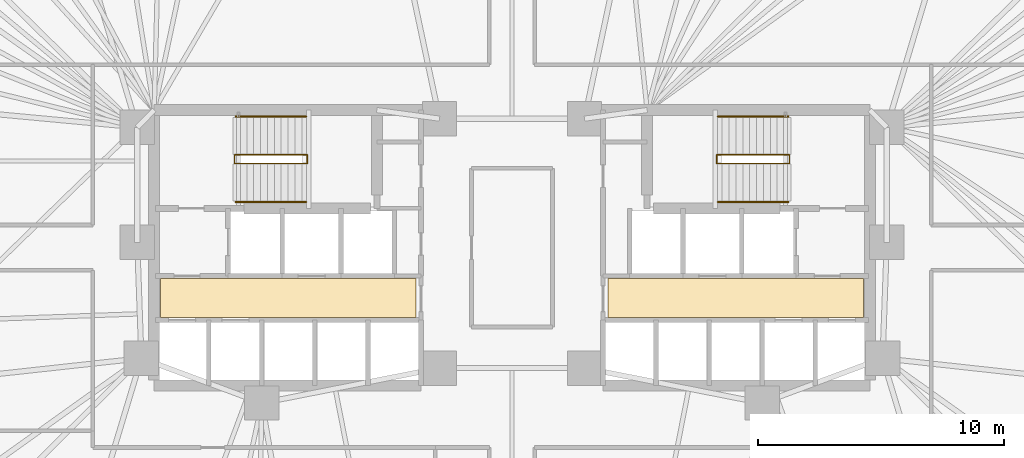
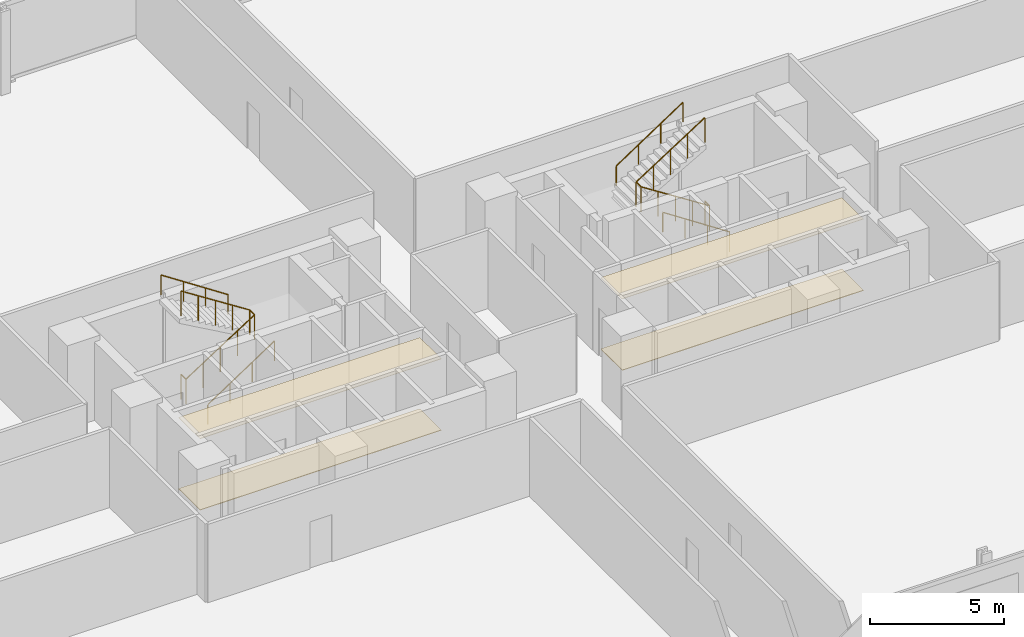
# One storey, part 16 of 16: 6 railings, 4 coverings.
"""IFC4 building model written with IfcOpenShell, lengths in metres."""

from ifc_helpers import new_model, si_unit, direction, frame, origin, origin_2d, place, context, subcontext, project, spatial, polyline, circle, outline, extrude, material, layer, layer_set, type_object, element, save


model = new_model("IFC4")

# Units and contexts
model_context = context("Model", 3, precision=1e-05, world=origin(), true_north=direction((0.0, 1.0)))
body_context = subcontext(model_context, "Body", "Model", "MODEL_VIEW")
ifc_project = project(units=[si_unit("LENGTHUNIT", "METRE"), si_unit("AREAUNIT", "SQUARE_METRE"), si_unit("VOLUMEUNIT", "CUBIC_METRE"), si_unit("PLANEANGLEUNIT", "RADIAN"), si_unit("MASSUNIT", "GRAM", prefix="KILO")], contexts=[model_context])

# Site, building, storey
site_placement = place(None, origin())
site = spatial("IfcSite", under=ifc_project, at=site_placement, CompositionType="ELEMENT")
building_placement = place(site_placement, origin())
building = spatial("IfcBuilding", under=site, at=building_placement, Name="Menara Jurai Vektor", CompositionType="ELEMENT")
storey_placement = place(building_placement, frame((0.0, 0.0, 14.199951171875)))
storey = spatial("IfcBuildingStorey", under=building, at=storey_placement, Name="L02", CompositionType="ELEMENT", Elevation=14.199951171875)

# Coverings
ifc_material_1 = material(Name="Mineral Fibre Acoustic Ceiling Tile", Category="gypsum")
ifc_layer_1 = layer(ifc_material_1, 0.02001953125)
ifc_layer_set_1 = layer_set([ifc_layer_1], Name="Mineral Fibre Acoustic Ceiling Tile")
covering_type_1 = type_object("IfcCoveringType", Name="COV-CEILING-ACOUSTIC", PredefinedType="CEILING", material=ifc_layer_set_1)
covering_1_placement = place(storey_placement, frame((0.0, 0.0, 3.255126953125)))
element("IfcCovering", 1, at=covering_1_placement, inside=storey, type_object=covering_type_1, Name="Acoustic Lift Lobby Ceiling W L02", PredefinedType="CEILING", context=body_context, shape_type="SweptSolid", body=[
    extrude(outline(polyline([(-14.300048828125, -2.85009765625), (-3.89990234375, -2.85009765625), (-3.89990234375, -1.25), (-14.300048828125, -1.25), (-14.300048828125, -2.85009765625)])), origin(), (0.0, 0.0, 1.0), 0.02001953125),
])
covering_2_placement = place(storey_placement, frame((0.0, 0.0, 3.255126953125)))
element("IfcCovering", 2, at=covering_2_placement, inside=storey, type_object=covering_type_1, Name="Acoustic Lift Lobby Ceiling E L02", PredefinedType="CEILING", context=body_context, shape_type="SweptSolid", body=[
    extrude(outline(polyline([(3.89990234375, -2.85009765625), (14.300048828125, -2.85009765625), (14.300048828125, -1.25), (3.89990234375, -1.25), (3.89990234375, -2.85009765625)])), origin(), (0.0, 0.0, 1.0), 0.02001953125),
])
ifc_material_2 = material(Name="Honed Granite Lobby Flooring", Category="masonry")
ifc_layer_2 = layer(ifc_material_2, 0.02490234375)
ifc_layer_set_2 = layer_set([ifc_layer_2], Name="Honed Granite Lobby Flooring")
covering_type_2 = type_object("IfcCoveringType", Name="COV-FLOOR-STONE", PredefinedType="FLOORING", material=ifc_layer_set_2)
covering_3_placement = place(storey_placement, origin())
element("IfcCovering", 3, at=covering_3_placement, inside=storey, type_object=covering_type_2, Name="Granite Lift Lobby Flooring W L02", PredefinedType="FLOORING", context=body_context, shape_type="SweptSolid", body=[
    extrude(outline(polyline([(-14.300048828125, -2.85009765625), (-3.89990234375, -2.85009765625), (-3.89990234375, -1.25), (-14.300048828125, -1.25), (-14.300048828125, -2.85009765625)])), origin(), (0.0, 0.0, 1.0), 0.025146484375),
])
covering_4_placement = place(storey_placement, origin())
element("IfcCovering", 4, at=covering_4_placement, inside=storey, type_object=covering_type_2, Name="Granite Lift Lobby Flooring E L02", PredefinedType="FLOORING", context=body_context, shape_type="SweptSolid", body=[
    extrude(outline(polyline([(3.89990234375, -2.85009765625), (14.300048828125, -2.85009765625), (14.300048828125, -1.25), (3.89990234375, -1.25), (3.89990234375, -2.85009765625)])), origin(), (0.0, 0.0, 1.0), 0.025146484375),
])

# Railings
ifc_material_3 = material(Name="Painted Galvanised Steel Balustrade", Category="steel")
railing_type_1 = type_object("IfcRailingType", Name="RAIL-STAIR-GUARD", PredefinedType="GUARDRAIL", material=ifc_material_3)
railing_1_placement = place(storey_placement, frame((-11.2900390625, 3.780029296875, 0.0)))
element("IfcRailing", 5, at=railing_1_placement, inside=storey, type_object=railing_type_1, Name="ST1 Stair Guardrail 1 L02", PredefinedType="GUARDRAIL", context=body_context, shape_type="SweptSolid", body=[
    extrude(circle(Radius=0.02392578125, at=origin_2d()), frame((0.0, 0.0, 1.1259765625), z_axis=(0.0, -1.0, 0.0), x_axis=(1.0, 0.0, 0.0)), (0.0, 0.0, 1.0), 0.360107421875),
    extrude(circle(Radius=0.02392578125, at=origin_2d()), frame((0.0, -0.360107421875, 1.1259765625), z_axis=(0.841525601958, 0.0, 0.540217235239), x_axis=(0.0, 1.0, 0.0)), (0.0, 0.0, 1.0), 3.517333984375),
    extrude(circle(Radius=0.02392578125, at=origin_2d()), frame((2.9599609375, -0.360107421875, 3.02587890625), z_axis=(0.0, 1.0, 0.0), x_axis=(-1.0, 0.0, 0.0)), (0.0, 0.0, 1.0), 0.360107421875),
    extrude(circle(Radius=0.02392578125, at=origin_2d()), frame((2.9599609375, 0.0, 3.02587890625), z_axis=(-0.841557155905, 0.0, 0.540168078791), x_axis=(0.0, -1.0, 0.0)), (0.0, 0.0, 1.0), 3.517333984375),
    extrude(circle(Radius=0.02099609375, at=origin_2d()), origin(), (0.0, 0.0, 1.0), 1.101806640625),
    extrude(circle(Radius=0.02099609375, at=origin_2d()), frame((0.0, -0.360107421875, 0.0)), (0.0, 0.0, 1.0), 1.101806640625),
    extrude(circle(Radius=0.02099609375, at=origin_2d()), frame((0.739990234375, -0.360107421875, 0.47509765625)), (0.0, 0.0, 1.0), 1.101806640625),
    extrude(circle(Radius=0.02099609375, at=origin_2d()), frame((1.47998046875, -0.360107421875, 0.9501953125)), (0.0, 0.0, 1.0), 1.101806640625),
    extrude(circle(Radius=0.02099609375, at=origin_2d()), frame((2.219970703125, -0.360107421875, 1.425048828125)), (0.0, 0.0, 1.0), 1.101806640625),
    extrude(circle(Radius=0.02099609375, at=origin_2d()), frame((2.9599609375, -0.360107421875, 1.900146484375)), (0.0, 0.0, 1.0), 1.101806640625),
    extrude(circle(Radius=0.02099609375, at=origin_2d()), frame((2.9599609375, 0.0, 1.900146484375)), (0.0, 0.0, 1.0), 1.101806640625),
    extrude(circle(Radius=0.02099609375, at=origin_2d()), frame((2.219970703125, 0.0, 2.375)), (0.0, 0.0, 1.0), 1.101806640625),
    extrude(circle(Radius=0.02099609375, at=origin_2d()), frame((1.47998046875, 0.0, 2.85009765625)), (0.0, 0.0, 1.0), 1.101806640625),
    extrude(circle(Radius=0.02099609375, at=origin_2d()), frame((0.739990234375, 0.0, 3.3251953125)), (0.0, 0.0, 1.0), 1.101806640625),
    extrude(circle(Radius=0.02099609375, at=origin_2d()), frame((0.0, 0.0, 3.800048828125)), (0.0, 0.0, 1.0), 1.101806640625),
])
railing_2_placement = place(storey_placement, frame((11.2900390625, 3.780029296875, 0.0)))
element("IfcRailing", 6, at=railing_2_placement, inside=storey, type_object=railing_type_1, Name="ST2 Stair Guardrail 1 L02", PredefinedType="GUARDRAIL", context=body_context, shape_type="SweptSolid", body=[
    extrude(circle(Radius=0.02392578125, at=origin_2d()), frame((0.0, 0.0, 1.1259765625), z_axis=(0.0, -1.0, 0.0), x_axis=(1.0, 0.0, 0.0)), (0.0, 0.0, 1.0), 0.360107421875),
    extrude(circle(Radius=0.02392578125, at=origin_2d()), frame((0.0, -0.360107421875, 1.1259765625), z_axis=(-0.841525601958, 0.0, 0.540217235239), x_axis=(0.0, -1.0, 0.0)), (0.0, 0.0, 1.0), 3.517333984375),
    extrude(circle(Radius=0.02392578125, at=origin_2d()), frame((-2.9599609375, -0.360107421875, 3.02587890625), z_axis=(0.0, 1.0, 0.0), x_axis=(-1.0, 0.0, 0.0)), (0.0, 0.0, 1.0), 0.360107421875),
    extrude(circle(Radius=0.02392578125, at=origin_2d()), frame((-2.9599609375, 0.0, 3.02587890625), z_axis=(0.841557155905, 0.0, 0.540168078791), x_axis=(0.0, 1.0, 0.0)), (0.0, 0.0, 1.0), 3.517333984375),
    extrude(circle(Radius=0.02099609375, at=origin_2d()), origin(), (0.0, 0.0, 1.0), 1.101806640625),
    extrude(circle(Radius=0.02099609375, at=origin_2d()), frame((0.0, -0.360107421875, 0.0)), (0.0, 0.0, 1.0), 1.101806640625),
    extrude(circle(Radius=0.02099609375, at=origin_2d()), frame((-0.739990234375, -0.360107421875, 0.47509765625)), (0.0, 0.0, 1.0), 1.101806640625),
    extrude(circle(Radius=0.02099609375, at=origin_2d()), frame((-1.47998046875, -0.360107421875, 0.9501953125)), (0.0, 0.0, 1.0), 1.101806640625),
    extrude(circle(Radius=0.02099609375, at=origin_2d()), frame((-2.219970703125, -0.360107421875, 1.425048828125)), (0.0, 0.0, 1.0), 1.101806640625),
    extrude(circle(Radius=0.02099609375, at=origin_2d()), frame((-2.9599609375, -0.360107421875, 1.900146484375)), (0.0, 0.0, 1.0), 1.101806640625),
    extrude(circle(Radius=0.02099609375, at=origin_2d()), frame((-2.9599609375, 0.0, 1.900146484375)), (0.0, 0.0, 1.0), 1.101806640625),
    extrude(circle(Radius=0.02099609375, at=origin_2d()), frame((-2.219970703125, 0.0, 2.375)), (0.0, 0.0, 1.0), 1.101806640625),
    extrude(circle(Radius=0.02099609375, at=origin_2d()), frame((-1.47998046875, 0.0, 2.85009765625)), (0.0, 0.0, 1.0), 1.101806640625),
    extrude(circle(Radius=0.02099609375, at=origin_2d()), frame((-0.739990234375, 0.0, 3.3251953125)), (0.0, 0.0, 1.0), 1.101806640625),
    extrude(circle(Radius=0.02099609375, at=origin_2d()), frame((0.0, 0.0, 3.800048828125)), (0.0, 0.0, 1.0), 1.101806640625),
])
ifc_material_4 = material(Name="Brushed Stainless Steel Handrail", Category="steel")
railing_type_2 = type_object("IfcRailingType", Name="RAIL-STAIR-HAND", PredefinedType="HANDRAIL", material=ifc_material_4)
railing_3_placement = place(storey_placement, frame((-11.25, 1.860107421875, 0.0)))
element("IfcRailing", 7, at=railing_3_placement, inside=storey, type_object=railing_type_2, Name="ST1 Stair Handrail 1 L02", PredefinedType="HANDRAIL", context=body_context, shape_type="SweptSolid", body=[
    extrude(circle(Radius=0.02392578125, at=origin_2d()), frame((0.0, 0.0, 0.89599609375), z_axis=(0.834686171885, 0.0, 0.550725879602), x_axis=(0.0, 1.0, 0.0)), (0.0, 0.0, 1.0), 3.4501953125),
    extrude(circle(Radius=0.02099609375, at=origin_2d()), origin(), (0.0, 0.0, 1.0), 0.871826171875),
    extrude(circle(Radius=0.02099609375, at=origin_2d()), frame((0.9599609375, 0.0, 0.63330078125)), (0.0, 0.0, 1.0), 0.871826171875),
    extrude(circle(Radius=0.02099609375, at=origin_2d()), frame((1.919921875, 0.0, 1.266845703125)), (0.0, 0.0, 1.0), 0.871826171875),
    extrude(circle(Radius=0.02099609375, at=origin_2d()), frame((2.8798828125, 0.0, 1.900146484375)), (0.0, 0.0, 1.0), 0.871826171875),
])
railing_4_placement = place(storey_placement, frame((-8.3701171875, 5.340087890625, 1.900146484375)))
element("IfcRailing", 8, at=railing_4_placement, inside=storey, type_object=railing_type_2, Name="ST1 Stair Handrail 2 L02", PredefinedType="HANDRAIL", context=body_context, shape_type="SweptSolid", body=[
    extrude(circle(Radius=0.02392578125, at=origin_2d()), frame((0.0, 0.0, 0.89599609375), z_axis=(-0.834718698933, 0.0, 0.550676578085), x_axis=(0.0, -1.0, 0.0)), (0.0, 0.0, 1.0), 3.4501953125),
    extrude(circle(Radius=0.02099609375, at=origin_2d()), origin(), (0.0, 0.0, 1.0), 0.871826171875),
    extrude(circle(Radius=0.02099609375, at=origin_2d()), frame((-0.9599609375, 0.0, 0.63330078125)), (0.0, 0.0, 1.0), 0.871826171875),
    extrude(circle(Radius=0.02099609375, at=origin_2d()), frame((-1.919921875, 0.0, 1.2666015625)), (0.0, 0.0, 1.0), 0.871826171875),
    extrude(circle(Radius=0.02099609375, at=origin_2d()), frame((-2.8798828125, 0.0, 1.89990234375)), (0.0, 0.0, 1.0), 0.871826171875),
])
railing_5_placement = place(storey_placement, frame((11.25, 1.860107421875, 0.0)))
element("IfcRailing", 9, at=railing_5_placement, inside=storey, type_object=railing_type_2, Name="ST2 Stair Handrail 1 L02", PredefinedType="HANDRAIL", context=body_context, shape_type="SweptSolid", body=[
    extrude(circle(Radius=0.02392578125, at=origin_2d()), frame((0.0, 0.0, 0.89599609375), z_axis=(-0.834686171885, 0.0, 0.550725879602), x_axis=(0.0, -1.0, 0.0)), (0.0, 0.0, 1.0), 3.4501953125),
    extrude(circle(Radius=0.02099609375, at=origin_2d()), origin(), (0.0, 0.0, 1.0), 0.871826171875),
    extrude(circle(Radius=0.02099609375, at=origin_2d()), frame((-0.9599609375, 0.0, 0.63330078125)), (0.0, 0.0, 1.0), 0.871826171875),
    extrude(circle(Radius=0.02099609375, at=origin_2d()), frame((-1.919921875, 0.0, 1.266845703125)), (0.0, 0.0, 1.0), 0.871826171875),
    extrude(circle(Radius=0.02099609375, at=origin_2d()), frame((-2.8798828125, 0.0, 1.900146484375)), (0.0, 0.0, 1.0), 0.871826171875),
])
railing_6_placement = place(storey_placement, frame((8.3701171875, 5.340087890625, 1.900146484375)))
element("IfcRailing", 10, at=railing_6_placement, inside=storey, type_object=railing_type_2, Name="ST2 Stair Handrail 2 L02", PredefinedType="HANDRAIL", context=body_context, shape_type="SweptSolid", body=[
    extrude(circle(Radius=0.02392578125, at=origin_2d()), frame((0.0, 0.0, 0.89599609375), z_axis=(0.834718698933, 0.0, 0.550676578085), x_axis=(0.0, 1.0, 0.0)), (0.0, 0.0, 1.0), 3.4501953125),
    extrude(circle(Radius=0.02099609375, at=origin_2d()), origin(), (0.0, 0.0, 1.0), 0.871826171875),
    extrude(circle(Radius=0.02099609375, at=origin_2d()), frame((0.9599609375, 0.0, 0.63330078125)), (0.0, 0.0, 1.0), 0.871826171875),
    extrude(circle(Radius=0.02099609375, at=origin_2d()), frame((1.919921875, 0.0, 1.2666015625)), (0.0, 0.0, 1.0), 0.871826171875),
    extrude(circle(Radius=0.02099609375, at=origin_2d()), frame((2.8798828125, 0.0, 1.89990234375)), (0.0, 0.0, 1.0), 0.871826171875),
])

save(model, "model.ifc")
